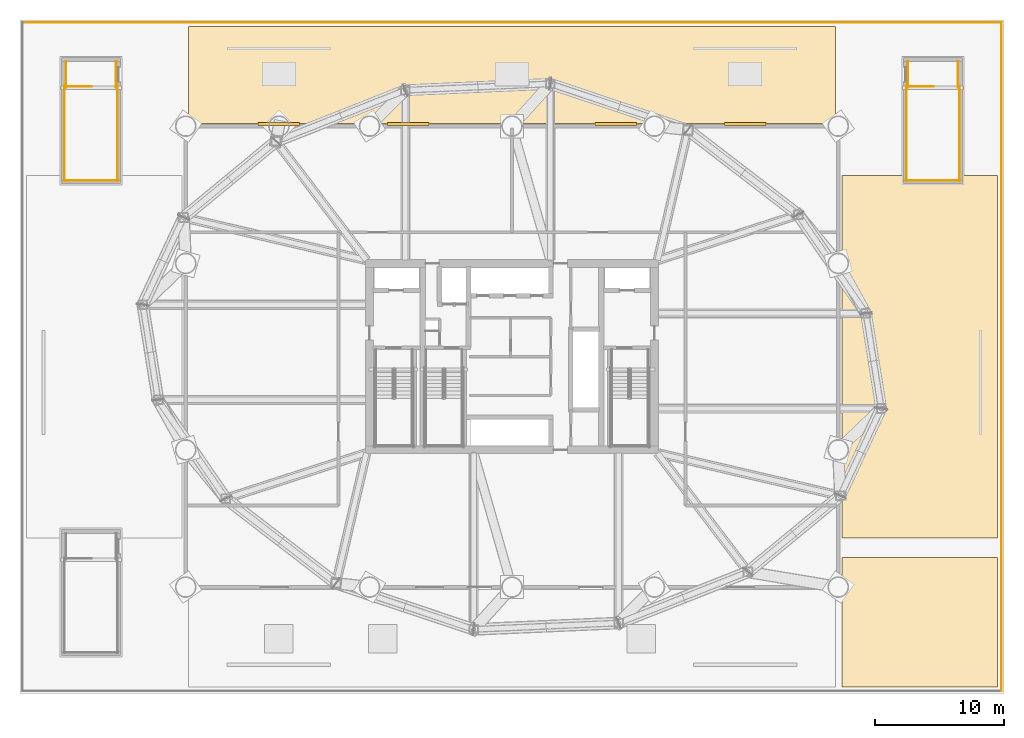
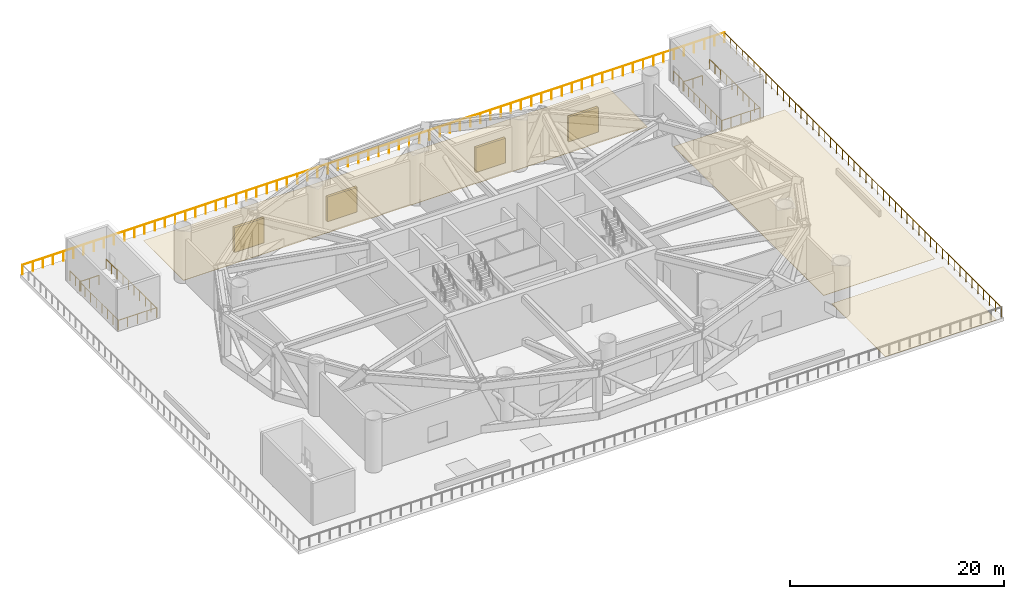
# One storey, part 14 of 14: 14 railings, 4 shading devices, 3 coverings.
"""IFC4 building model written with IfcOpenShell, lengths in metres."""

from ifc_helpers import new_model, si_unit, direction, frame, origin, origin_2d, place, context, subcontext, project, spatial, polyline, rectangle, circle, outline, extrude, material, layer, layer_set, type_object, element, save


model = new_model("IFC4")

# Units and contexts
model_context = context("Model", 3, precision=1e-05, world=origin(), true_north=direction((0.0, 1.0)))
body_context = subcontext(model_context, "Body", "Model", "MODEL_VIEW")
ifc_project = project(units=[si_unit("LENGTHUNIT", "METRE"), si_unit("AREAUNIT", "SQUARE_METRE"), si_unit("VOLUMEUNIT", "CUBIC_METRE"), si_unit("PLANEANGLEUNIT", "RADIAN"), si_unit("MASSUNIT", "GRAM", prefix="KILO")], contexts=[model_context])

# Site, building, storey
site_placement = place(None, origin())
site = spatial("IfcSite", under=ifc_project, at=site_placement, CompositionType="ELEMENT")
building_placement = place(site_placement, origin())
building = spatial("IfcBuilding", under=site, at=building_placement, Name="Bramvorn Convention Spire", CompositionType="ELEMENT")
storey_placement = place(building_placement, frame((0.0, 0.0, 35.39990234375)))
storey = spatial("IfcBuildingStorey", under=building, at=storey_placement, Name="L06", CompositionType="ELEMENT", Elevation=35.39990234375)

# Coverings
ifc_material_1 = material(Name="SBS Modified Bitumen Waterproofing Membrane", Category="membrane")
ifc_layer = layer(ifc_material_1, 0.0400390625)
ifc_layer_set = layer_set([ifc_layer], Name="SBS Modified Bitumen Waterproofing Membrane - COV-ROOF-MEMB-40")
covering_type = type_object("IfcCoveringType", Name="COV-ROOF-MEMB-40", PredefinedType="ROOFING", material=ifc_layer_set)
covering_1_placement = place(storey_placement, frame((0.0, 0.0, -0.419921875)))
element("IfcCovering", 1, at=covering_1_placement, inside=storey, type_object=covering_type, Name="L06 raised garden waterproofing membrane zone 2", PredefinedType="ROOFING", context=body_context, shape_type="SweptSolid", body=[
    extrude(outline(polyline([(13.0, 44.0), (63.0, 44.0), (63.0, 51.5), (13.0, 51.5), (13.0, 44.0)])), origin(), (0.0, 0.0, 1.0), 0.0400390625),
])
covering_2_placement = place(storey_placement, frame((0.0, 0.0, -0.419921875)))
element("IfcCovering", 2, at=covering_2_placement, inside=storey, type_object=covering_type, Name="L06 raised garden waterproofing membrane zone 4", PredefinedType="ROOFING", context=body_context, shape_type="SweptSolid", body=[
    extrude(outline(polyline([(63.5, 12.0), (75.5, 12.0), (75.5, 40.0), (63.5, 40.0), (63.5, 12.0)])), origin(), (0.0, 0.0, 1.0), 0.0400390625),
])
covering_3_placement = place(storey_placement, frame((0.0, 0.0, -0.419921875)))
element("IfcCovering", 3, at=covering_3_placement, inside=storey, type_object=covering_type, Name="L06 raised garden waterproofing membrane zone 5", PredefinedType="ROOFING", context=body_context, shape_type="SweptSolid", body=[
    extrude(outline(polyline([(63.5, 0.5), (75.5, 0.5), (75.5, 10.5), (63.5, 10.5), (63.5, 0.5)])), origin(), (0.0, 0.0, 1.0), 0.0400390625),
])

# Railings
ifc_material_2 = material(Name="Painted Steel Balustrade & Guardrail", Category="steel")
railing_type_1 = type_object("IfcRailingType", Name="RL-STAIR-GUARD-1100", PredefinedType="GUARDRAIL", material=ifc_material_2)
railing_1_placement = place(storey_placement, frame((68.52001953125, 46.85009765625, 0.0)))
element("IfcRailing", 4, at=railing_1_placement, inside=storey, type_object=railing_type_1, Name="L06 ST5 top well guard 1", PredefinedType="GUARDRAIL", context=body_context, shape_type="SweptSolid", body=[
    extrude(circle(Radius=0.02392578125, at=origin_2d()), frame((0.0, 0.0, 1.076171875), z_axis=(1.0, 0.0, 0.0), x_axis=(0.0, 1.0, 0.0)), (0.0, 0.0, 1.0), 2.030029296875),
    extrude(circle(Radius=0.02099609375, at=origin_2d()), origin(), (0.0, 0.0, 1.0), 1.052001953125),
    extrude(circle(Radius=0.02099609375, at=origin_2d()), frame((1.01513671875, 0.0, 0.0)), (0.0, 0.0, 1.0), 1.052001953125),
    extrude(circle(Radius=0.02099609375, at=origin_2d()), frame((2.030029296875, 0.0, 0.0)), (0.0, 0.0, 1.0), 1.052001953125),
])
for number, where, name in (
    (5, (68.469970703125, 46.89990234375, 0.0), "L06 ST5 top well guard 2"),
    (6, (72.550048828125, 46.89990234375, 0.0), "L06 ST5 top well guard 3"),
):
    element("IfcRailing", number, at=place(storey_placement, frame(where)), inside=storey, type_object=railing_type_1, Name=name, PredefinedType="GUARDRAIL", context=body_context, shape_type="SweptSolid", body=[
        extrude(circle(Radius=0.02392578125, at=origin_2d()), frame((0.0, 0.0, 1.076171875), z_axis=(0.0, -1.0, 0.0), x_axis=(1.0, 0.0, 0.0)), (0.0, 0.0, 1.0), 7.349853515625),
        extrude(circle(Radius=0.02099609375, at=origin_2d()), origin(), (0.0, 0.0, 1.0), 1.052001953125),
        extrude(circle(Radius=0.02099609375, at=origin_2d()), frame((0.0, -1.050048828125, 0.0)), (0.0, 0.0, 1.0), 1.052001953125),
        extrude(circle(Radius=0.02099609375, at=origin_2d()), frame((0.0, -2.099853515625, 0.0)), (0.0, 0.0, 1.0), 1.052001953125),
        extrude(circle(Radius=0.02099609375, at=origin_2d()), frame((0.0, -3.14990234375, 0.0)), (0.0, 0.0, 1.0), 1.052001953125),
        extrude(circle(Radius=0.02099609375, at=origin_2d()), frame((0.0, -4.199951171875, 0.0)), (0.0, 0.0, 1.0), 1.052001953125),
        extrude(circle(Radius=0.02099609375, at=origin_2d()), frame((0.0, -5.25, 0.0)), (0.0, 0.0, 1.0), 1.052001953125),
        extrude(circle(Radius=0.02099609375, at=origin_2d()), frame((0.0, -6.2998046875, 0.0)), (0.0, 0.0, 1.0), 1.052001953125),
        extrude(circle(Radius=0.02099609375, at=origin_2d()), frame((0.0, -7.349853515625, 0.0)), (0.0, 0.0, 1.0), 1.052001953125),
    ])
railing_2_placement = place(storey_placement, frame((68.419921875, 39.60009765625, 0.0)))
element("IfcRailing", 7, at=railing_2_placement, inside=storey, type_object=railing_type_1, Name="L06 ST5 top well guard 4", PredefinedType="GUARDRAIL", context=body_context, shape_type="SweptSolid", body=[
    extrude(circle(Radius=0.02392578125, at=origin_2d()), frame((0.0, 0.0, 1.076171875), z_axis=(1.0, 0.0, 0.0), x_axis=(0.0, 1.0, 0.0)), (0.0, 0.0, 1.0), 4.18017578125),
    extrude(circle(Radius=0.02099609375, at=origin_2d()), origin(), (0.0, 0.0, 1.0), 1.052001953125),
    extrude(circle(Radius=0.02099609375, at=origin_2d()), frame((1.044921875, 0.0, 0.0)), (0.0, 0.0, 1.0), 1.052001953125),
    extrude(circle(Radius=0.02099609375, at=origin_2d()), frame((2.090087890625, 0.0, 0.0)), (0.0, 0.0, 1.0), 1.052001953125),
    extrude(circle(Radius=0.02099609375, at=origin_2d()), frame((3.13525390625, 0.0, 0.0)), (0.0, 0.0, 1.0), 1.052001953125),
    extrude(circle(Radius=0.02099609375, at=origin_2d()), frame((4.18017578125, 0.0, 0.0)), (0.0, 0.0, 1.0), 1.052001953125),
])
for number, where, name in (
    (8, (68.570068359375, 48.800048828125, 0.0), "L06 ST5 top well guard 5"),
    (9, (72.449951171875, 48.800048828125, 0.0), "L06 ST5 top well guard 6"),
):
    element("IfcRailing", number, at=place(storey_placement, frame(where)), inside=storey, type_object=railing_type_1, Name=name, PredefinedType="GUARDRAIL", context=body_context, shape_type="SweptSolid", body=[
        extrude(circle(Radius=0.02392578125, at=origin_2d()), frame((0.0, 0.0, 1.076171875), z_axis=(0.0, -1.0, 0.0), x_axis=(1.0, 0.0, 0.0)), (0.0, 0.0, 1.0), 2.0),
        extrude(circle(Radius=0.02099609375, at=origin_2d()), origin(), (0.0, 0.0, 1.0), 1.052001953125),
        extrude(circle(Radius=0.02099609375, at=origin_2d()), frame((0.0, -1.0, 0.0)), (0.0, 0.0, 1.0), 1.052001953125),
        extrude(circle(Radius=0.02099609375, at=origin_2d()), frame((0.0, -2.0, 0.0)), (0.0, 0.0, 1.0), 1.052001953125),
    ])
railing_3_placement = place(storey_placement, frame((3.5, 46.85009765625, 0.0)))
element("IfcRailing", 10, at=railing_3_placement, inside=storey, type_object=railing_type_1, Name="L06 ST6 top well guard 1", PredefinedType="GUARDRAIL", context=body_context, shape_type="SweptSolid", body=[
    extrude(circle(Radius=0.02392578125, at=origin_2d()), frame((0.0, 0.0, 1.076171875), z_axis=(1.0, 0.0, 0.0), x_axis=(0.0, 1.0, 0.0)), (0.0, 0.0, 1.0), 2.030029296875),
    extrude(circle(Radius=0.02099609375, at=origin_2d()), origin(), (0.0, 0.0, 1.0), 1.052001953125),
    extrude(circle(Radius=0.02099609375, at=origin_2d()), frame((1.01513671875, 0.0, 0.0)), (0.0, 0.0, 1.0), 1.052001953125),
    extrude(circle(Radius=0.02099609375, at=origin_2d()), frame((2.030029296875, 0.0, 0.0)), (0.0, 0.0, 1.0), 1.052001953125),
])
for number, where, name in (
    (11, (3.449951171875, 46.89990234375, 0.0), "L06 ST6 top well guard 2"),
    (12, (7.530029296875, 46.89990234375, 0.0), "L06 ST6 top well guard 3"),
):
    element("IfcRailing", number, at=place(storey_placement, frame(where)), inside=storey, type_object=railing_type_1, Name=name, PredefinedType="GUARDRAIL", context=body_context, shape_type="SweptSolid", body=[
        extrude(circle(Radius=0.02392578125, at=origin_2d()), frame((0.0, 0.0, 1.076171875), z_axis=(0.0, -1.0, 0.0), x_axis=(1.0, 0.0, 0.0)), (0.0, 0.0, 1.0), 7.349853515625),
        extrude(circle(Radius=0.02099609375, at=origin_2d()), origin(), (0.0, 0.0, 1.0), 1.052001953125),
        extrude(circle(Radius=0.02099609375, at=origin_2d()), frame((0.0, -1.050048828125, 0.0)), (0.0, 0.0, 1.0), 1.052001953125),
        extrude(circle(Radius=0.02099609375, at=origin_2d()), frame((0.0, -2.099853515625, 0.0)), (0.0, 0.0, 1.0), 1.052001953125),
        extrude(circle(Radius=0.02099609375, at=origin_2d()), frame((0.0, -3.14990234375, 0.0)), (0.0, 0.0, 1.0), 1.052001953125),
        extrude(circle(Radius=0.02099609375, at=origin_2d()), frame((0.0, -4.199951171875, 0.0)), (0.0, 0.0, 1.0), 1.052001953125),
        extrude(circle(Radius=0.02099609375, at=origin_2d()), frame((0.0, -5.25, 0.0)), (0.0, 0.0, 1.0), 1.052001953125),
        extrude(circle(Radius=0.02099609375, at=origin_2d()), frame((0.0, -6.2998046875, 0.0)), (0.0, 0.0, 1.0), 1.052001953125),
        extrude(circle(Radius=0.02099609375, at=origin_2d()), frame((0.0, -7.349853515625, 0.0)), (0.0, 0.0, 1.0), 1.052001953125),
    ])
railing_4_placement = place(storey_placement, frame((3.39990234375, 39.60009765625, 0.0)))
element("IfcRailing", 13, at=railing_4_placement, inside=storey, type_object=railing_type_1, Name="L06 ST6 top well guard 4", PredefinedType="GUARDRAIL", context=body_context, shape_type="SweptSolid", body=[
    extrude(circle(Radius=0.02392578125, at=origin_2d()), frame((0.0, 0.0, 1.076171875), z_axis=(1.0, 0.0, 0.0), x_axis=(0.0, 1.0, 0.0)), (0.0, 0.0, 1.0), 4.18017578125),
    extrude(circle(Radius=0.02099609375, at=origin_2d()), origin(), (0.0, 0.0, 1.0), 1.052001953125),
    extrude(circle(Radius=0.02099609375, at=origin_2d()), frame((1.044921875, 0.0, 0.0)), (0.0, 0.0, 1.0), 1.052001953125),
    extrude(circle(Radius=0.02099609375, at=origin_2d()), frame((2.090087890625, 0.0, 0.0)), (0.0, 0.0, 1.0), 1.052001953125),
    extrude(circle(Radius=0.02099609375, at=origin_2d()), frame((3.13525390625, 0.0, 0.0)), (0.0, 0.0, 1.0), 1.052001953125),
    extrude(circle(Radius=0.02099609375, at=origin_2d()), frame((4.18017578125, 0.0, 0.0)), (0.0, 0.0, 1.0), 1.052001953125),
])
for number, where, name in (
    (14, (3.550048828125, 48.800048828125, 0.0), "L06 ST6 top well guard 5"),
    (15, (7.429931640625, 48.800048828125, 0.0), "L06 ST6 top well guard 6"),
):
    element("IfcRailing", number, at=place(storey_placement, frame(where)), inside=storey, type_object=railing_type_1, Name=name, PredefinedType="GUARDRAIL", context=body_context, shape_type="SweptSolid", body=[
        extrude(circle(Radius=0.02392578125, at=origin_2d()), frame((0.0, 0.0, 1.076171875), z_axis=(0.0, -1.0, 0.0), x_axis=(1.0, 0.0, 0.0)), (0.0, 0.0, 1.0), 2.0),
        extrude(circle(Radius=0.02099609375, at=origin_2d()), origin(), (0.0, 0.0, 1.0), 1.052001953125),
        extrude(circle(Radius=0.02099609375, at=origin_2d()), frame((0.0, -1.0, 0.0)), (0.0, 0.0, 1.0), 1.052001953125),
        extrude(circle(Radius=0.02099609375, at=origin_2d()), frame((0.0, -2.0, 0.0)), (0.0, 0.0, 1.0), 1.052001953125),
    ])
ifc_material_3 = material(Name="Bronze Cap-Rail & Laminated Structural Glass Balustrade", Category="glass")
railing_type_2 = type_object("IfcRailingType", Name="RL-TERR-GUARD-1150", PredefinedType="GUARDRAIL", material=ifc_material_3)
railing_5_placement = place(storey_placement, frame((75.820068359375, 0.179931640625, 0.0)))
element("IfcRailing", 16, at=railing_5_placement, inside=storey, type_object=railing_type_2, Name="L06 Raised Public Garden perimeter safety guardrail side 2", PredefinedType="GUARDRAIL", context=body_context, shape_type="SweptSolid", body=[
    extrude(circle(Radius=0.02392578125, at=origin_2d()), frame((0.0, 0.0, 1.1259765625), z_axis=(0.0, 1.0, 0.0), x_axis=(-1.0, 0.0, 0.0)), (0.0, 0.0, 1.0), 51.64013671875),
    extrude(circle(Radius=0.02099609375, at=origin_2d()), origin(), (0.0, 0.0, 1.0), 1.101806640625),
    extrude(circle(Radius=0.02099609375, at=origin_2d()), frame((0.0, 1.0986328125, 0.0)), (0.0, 0.0, 1.0), 1.101806640625),
    extrude(circle(Radius=0.02099609375, at=origin_2d()), frame((0.0, 2.197509765625, 0.0)), (0.0, 0.0, 1.0), 1.101806640625),
    extrude(circle(Radius=0.02099609375, at=origin_2d()), frame((0.0, 3.296142578125, 0.0)), (0.0, 0.0, 1.0), 1.101806640625),
    extrude(circle(Radius=0.02099609375, at=origin_2d()), frame((0.0, 4.39501953125, 0.0)), (0.0, 0.0, 1.0), 1.101806640625),
    extrude(circle(Radius=0.02099609375, at=origin_2d()), frame((0.0, 5.49365234375, 0.0)), (0.0, 0.0, 1.0), 1.101806640625),
    extrude(circle(Radius=0.02099609375, at=origin_2d()), frame((0.0, 6.59228515625, 0.0)), (0.0, 0.0, 1.0), 1.101806640625),
    extrude(circle(Radius=0.02099609375, at=origin_2d()), frame((0.0, 7.691162109375, 0.0)), (0.0, 0.0, 1.0), 1.101806640625),
    extrude(circle(Radius=0.02099609375, at=origin_2d()), frame((0.0, 8.789794921875, 0.0)), (0.0, 0.0, 1.0), 1.101806640625),
    extrude(circle(Radius=0.02099609375, at=origin_2d()), frame((0.0, 9.888427734375, 0.0)), (0.0, 0.0, 1.0), 1.101806640625),
    extrude(circle(Radius=0.02099609375, at=origin_2d()), frame((0.0, 10.9873046875, 0.0)), (0.0, 0.0, 1.0), 1.101806640625),
    extrude(circle(Radius=0.02099609375, at=origin_2d()), frame((0.0, 12.0859375, 0.0)), (0.0, 0.0, 1.0), 1.101806640625),
    extrude(circle(Radius=0.02099609375, at=origin_2d()), frame((0.0, 13.184814453125, 0.0)), (0.0, 0.0, 1.0), 1.101806640625),
    extrude(circle(Radius=0.02099609375, at=origin_2d()), frame((0.0, 14.283447265625, 0.0)), (0.0, 0.0, 1.0), 1.101806640625),
    extrude(circle(Radius=0.02099609375, at=origin_2d()), frame((0.0, 15.382080078125, 0.0)), (0.0, 0.0, 1.0), 1.101806640625),
    extrude(circle(Radius=0.02099609375, at=origin_2d()), frame((0.0, 16.48095703125, 0.0)), (0.0, 0.0, 1.0), 1.101806640625),
    extrude(circle(Radius=0.02099609375, at=origin_2d()), frame((0.0, 17.57958984375, 0.0)), (0.0, 0.0, 1.0), 1.101806640625),
    extrude(circle(Radius=0.02099609375, at=origin_2d()), frame((0.0, 18.678466796875, 0.0)), (0.0, 0.0, 1.0), 1.101806640625),
    extrude(circle(Radius=0.02099609375, at=origin_2d()), frame((0.0, 19.777099609375, 0.0)), (0.0, 0.0, 1.0), 1.101806640625),
    extrude(circle(Radius=0.02099609375, at=origin_2d()), frame((0.0, 20.875732421875, 0.0)), (0.0, 0.0, 1.0), 1.101806640625),
    extrude(circle(Radius=0.02099609375, at=origin_2d()), frame((0.0, 21.974609375, 0.0)), (0.0, 0.0, 1.0), 1.101806640625),
    extrude(circle(Radius=0.02099609375, at=origin_2d()), frame((0.0, 23.0732421875, 0.0)), (0.0, 0.0, 1.0), 1.101806640625),
    extrude(circle(Radius=0.02099609375, at=origin_2d()), frame((0.0, 24.171875, 0.0)), (0.0, 0.0, 1.0), 1.101806640625),
    extrude(circle(Radius=0.02099609375, at=origin_2d()), frame((0.0, 25.270751953125, 0.0)), (0.0, 0.0, 1.0), 1.101806640625),
    extrude(circle(Radius=0.02099609375, at=origin_2d()), frame((0.0, 26.369384765625, 0.0)), (0.0, 0.0, 1.0), 1.101806640625),
    extrude(circle(Radius=0.02099609375, at=origin_2d()), frame((0.0, 27.46826171875, 0.0)), (0.0, 0.0, 1.0), 1.101806640625),
    extrude(circle(Radius=0.02099609375, at=origin_2d()), frame((0.0, 28.56689453125, 0.0)), (0.0, 0.0, 1.0), 1.101806640625),
    extrude(circle(Radius=0.02099609375, at=origin_2d()), frame((0.0, 29.66552734375, 0.0)), (0.0, 0.0, 1.0), 1.101806640625),
    extrude(circle(Radius=0.02099609375, at=origin_2d()), frame((0.0, 30.764404296875, 0.0)), (0.0, 0.0, 1.0), 1.101806640625),
    extrude(circle(Radius=0.02099609375, at=origin_2d()), frame((0.0, 31.863037109375, 0.0)), (0.0, 0.0, 1.0), 1.101806640625),
    extrude(circle(Radius=0.02099609375, at=origin_2d()), frame((0.0, 32.961669921875, 0.0)), (0.0, 0.0, 1.0), 1.101806640625),
    extrude(circle(Radius=0.02099609375, at=origin_2d()), frame((0.0, 34.060546875, 0.0)), (0.0, 0.0, 1.0), 1.101806640625),
    extrude(circle(Radius=0.02099609375, at=origin_2d()), frame((0.0, 35.1591796875, 0.0)), (0.0, 0.0, 1.0), 1.101806640625),
    extrude(circle(Radius=0.02099609375, at=origin_2d()), frame((0.0, 36.258056640625, 0.0)), (0.0, 0.0, 1.0), 1.101806640625),
    extrude(circle(Radius=0.02099609375, at=origin_2d()), frame((0.0, 37.356689453125, 0.0)), (0.0, 0.0, 1.0), 1.101806640625),
    extrude(circle(Radius=0.02099609375, at=origin_2d()), frame((0.0, 38.455322265625, 0.0)), (0.0, 0.0, 1.0), 1.101806640625),
    extrude(circle(Radius=0.02099609375, at=origin_2d()), frame((0.0, 39.55419921875, 0.0)), (0.0, 0.0, 1.0), 1.101806640625),
    extrude(circle(Radius=0.02099609375, at=origin_2d()), frame((0.0, 40.65283203125, 0.0)), (0.0, 0.0, 1.0), 1.101806640625),
    extrude(circle(Radius=0.02099609375, at=origin_2d()), frame((0.0, 41.751708984375, 0.0)), (0.0, 0.0, 1.0), 1.101806640625),
    extrude(circle(Radius=0.02099609375, at=origin_2d()), frame((0.0, 42.850341796875, 0.0)), (0.0, 0.0, 1.0), 1.101806640625),
    extrude(circle(Radius=0.02099609375, at=origin_2d()), frame((0.0, 43.948974609375, 0.0)), (0.0, 0.0, 1.0), 1.101806640625),
    extrude(circle(Radius=0.02099609375, at=origin_2d()), frame((0.0, 45.0478515625, 0.0)), (0.0, 0.0, 1.0), 1.101806640625),
    extrude(circle(Radius=0.02099609375, at=origin_2d()), frame((0.0, 46.146484375, 0.0)), (0.0, 0.0, 1.0), 1.101806640625),
    extrude(circle(Radius=0.02099609375, at=origin_2d()), frame((0.0, 47.2451171875, 0.0)), (0.0, 0.0, 1.0), 1.101806640625),
    extrude(circle(Radius=0.02099609375, at=origin_2d()), frame((0.0, 48.343994140625, 0.0)), (0.0, 0.0, 1.0), 1.101806640625),
    extrude(circle(Radius=0.02099609375, at=origin_2d()), frame((0.0, 49.442626953125, 0.0)), (0.0, 0.0, 1.0), 1.101806640625),
    extrude(circle(Radius=0.02099609375, at=origin_2d()), frame((0.0, 50.54150390625, 0.0)), (0.0, 0.0, 1.0), 1.101806640625),
    extrude(circle(Radius=0.02099609375, at=origin_2d()), frame((0.0, 51.64013671875, 0.0)), (0.0, 0.0, 1.0), 1.101806640625),
])
railing_6_placement = place(storey_placement, frame((75.820068359375, 51.820068359375, 0.0)))
element("IfcRailing", 17, at=railing_6_placement, inside=storey, type_object=railing_type_2, Name="L06 Raised Public Garden perimeter safety guardrail side 3", PredefinedType="GUARDRAIL", context=body_context, shape_type="SweptSolid", body=[
    extrude(circle(Radius=0.02392578125, at=origin_2d()), frame((0.0, 0.0, 1.1259765625), z_axis=(-1.0, 0.0, 0.0), x_axis=(0.0, -1.0, 0.0)), (0.0, 0.0, 1.0), 75.64013671875),
    extrude(circle(Radius=0.02099609375, at=origin_2d()), origin(), (0.0, 0.0, 1.0), 1.101806640625),
    extrude(circle(Radius=0.02099609375, at=origin_2d()), frame((-1.09619140625, 0.0, 0.0)), (0.0, 0.0, 1.0), 1.101806640625),
    extrude(circle(Radius=0.02099609375, at=origin_2d()), frame((-2.1923828125, 0.0, 0.0)), (0.0, 0.0, 1.0), 1.101806640625),
    extrude(circle(Radius=0.02099609375, at=origin_2d()), frame((-3.288818359375, 0.0, 0.0)), (0.0, 0.0, 1.0), 1.101806640625),
    extrude(circle(Radius=0.02099609375, at=origin_2d()), frame((-4.385009765625, 0.0, 0.0)), (0.0, 0.0, 1.0), 1.101806640625),
    extrude(circle(Radius=0.02099609375, at=origin_2d()), frame((-5.481201171875, 0.0, 0.0)), (0.0, 0.0, 1.0), 1.101806640625),
    extrude(circle(Radius=0.02099609375, at=origin_2d()), frame((-6.577392578125, 0.0, 0.0)), (0.0, 0.0, 1.0), 1.101806640625),
    extrude(circle(Radius=0.02099609375, at=origin_2d()), frame((-7.673583984375, 0.0, 0.0)), (0.0, 0.0, 1.0), 1.101806640625),
    extrude(circle(Radius=0.02099609375, at=origin_2d()), frame((-8.769775390625, 0.0, 0.0)), (0.0, 0.0, 1.0), 1.101806640625),
    extrude(circle(Radius=0.02099609375, at=origin_2d()), frame((-9.8662109375, 0.0, 0.0)), (0.0, 0.0, 1.0), 1.101806640625),
    extrude(circle(Radius=0.02099609375, at=origin_2d()), frame((-10.96240234375, 0.0, 0.0)), (0.0, 0.0, 1.0), 1.101806640625),
    extrude(circle(Radius=0.02099609375, at=origin_2d()), frame((-12.05859375, 0.0, 0.0)), (0.0, 0.0, 1.0), 1.101806640625),
    extrude(circle(Radius=0.02099609375, at=origin_2d()), frame((-13.15478515625, 0.0, 0.0)), (0.0, 0.0, 1.0), 1.101806640625),
    extrude(circle(Radius=0.02099609375, at=origin_2d()), frame((-14.2509765625, 0.0, 0.0)), (0.0, 0.0, 1.0), 1.101806640625),
    extrude(circle(Radius=0.02099609375, at=origin_2d()), frame((-15.34716796875, 0.0, 0.0)), (0.0, 0.0, 1.0), 1.101806640625),
    extrude(circle(Radius=0.02099609375, at=origin_2d()), frame((-16.443603515625, 0.0, 0.0)), (0.0, 0.0, 1.0), 1.101806640625),
    extrude(circle(Radius=0.02099609375, at=origin_2d()), frame((-17.539794921875, 0.0, 0.0)), (0.0, 0.0, 1.0), 1.101806640625),
    extrude(circle(Radius=0.02099609375, at=origin_2d()), frame((-18.635986328125, 0.0, 0.0)), (0.0, 0.0, 1.0), 1.101806640625),
    extrude(circle(Radius=0.02099609375, at=origin_2d()), frame((-19.732177734375, 0.0, 0.0)), (0.0, 0.0, 1.0), 1.101806640625),
    extrude(circle(Radius=0.02099609375, at=origin_2d()), frame((-20.828369140625, 0.0, 0.0)), (0.0, 0.0, 1.0), 1.101806640625),
    extrude(circle(Radius=0.02099609375, at=origin_2d()), frame((-21.924560546875, 0.0, 0.0)), (0.0, 0.0, 1.0), 1.101806640625),
    extrude(circle(Radius=0.02099609375, at=origin_2d()), frame((-23.02099609375, 0.0, 0.0)), (0.0, 0.0, 1.0), 1.101806640625),
    extrude(circle(Radius=0.02099609375, at=origin_2d()), frame((-24.1171875, 0.0, 0.0)), (0.0, 0.0, 1.0), 1.101806640625),
    extrude(circle(Radius=0.02099609375, at=origin_2d()), frame((-25.21337890625, 0.0, 0.0)), (0.0, 0.0, 1.0), 1.101806640625),
    extrude(circle(Radius=0.02099609375, at=origin_2d()), frame((-26.3095703125, 0.0, 0.0)), (0.0, 0.0, 1.0), 1.101806640625),
    extrude(circle(Radius=0.02099609375, at=origin_2d()), frame((-27.40576171875, 0.0, 0.0)), (0.0, 0.0, 1.0), 1.101806640625),
    extrude(circle(Radius=0.02099609375, at=origin_2d()), frame((-28.502197265625, 0.0, 0.0)), (0.0, 0.0, 1.0), 1.101806640625),
    extrude(circle(Radius=0.02099609375, at=origin_2d()), frame((-29.598388671875, 0.0, 0.0)), (0.0, 0.0, 1.0), 1.101806640625),
    extrude(circle(Radius=0.02099609375, at=origin_2d()), frame((-30.694580078125, 0.0, 0.0)), (0.0, 0.0, 1.0), 1.101806640625),
    extrude(circle(Radius=0.02099609375, at=origin_2d()), frame((-31.790771484375, 0.0, 0.0)), (0.0, 0.0, 1.0), 1.101806640625),
    extrude(circle(Radius=0.02099609375, at=origin_2d()), frame((-32.886962890625, 0.0, 0.0)), (0.0, 0.0, 1.0), 1.101806640625),
    extrude(circle(Radius=0.02099609375, at=origin_2d()), frame((-33.983154296875, 0.0, 0.0)), (0.0, 0.0, 1.0), 1.101806640625),
    extrude(circle(Radius=0.02099609375, at=origin_2d()), frame((-35.07958984375, 0.0, 0.0)), (0.0, 0.0, 1.0), 1.101806640625),
    extrude(circle(Radius=0.02099609375, at=origin_2d()), frame((-36.17578125, 0.0, 0.0)), (0.0, 0.0, 1.0), 1.101806640625),
    extrude(circle(Radius=0.02099609375, at=origin_2d()), frame((-37.27197265625, 0.0, 0.0)), (0.0, 0.0, 1.0), 1.101806640625),
    extrude(circle(Radius=0.02099609375, at=origin_2d()), frame((-38.3681640625, 0.0, 0.0)), (0.0, 0.0, 1.0), 1.101806640625),
    extrude(circle(Radius=0.02099609375, at=origin_2d()), frame((-39.46435546875, 0.0, 0.0)), (0.0, 0.0, 1.0), 1.101806640625),
    extrude(circle(Radius=0.02099609375, at=origin_2d()), frame((-40.560546875, 0.0, 0.0)), (0.0, 0.0, 1.0), 1.101806640625),
    extrude(circle(Radius=0.02099609375, at=origin_2d()), frame((-41.656982421875, 0.0, 0.0)), (0.0, 0.0, 1.0), 1.101806640625),
    extrude(circle(Radius=0.02099609375, at=origin_2d()), frame((-42.753173828125, 0.0, 0.0)), (0.0, 0.0, 1.0), 1.101806640625),
    extrude(circle(Radius=0.02099609375, at=origin_2d()), frame((-43.849365234375, 0.0, 0.0)), (0.0, 0.0, 1.0), 1.101806640625),
    extrude(circle(Radius=0.02099609375, at=origin_2d()), frame((-44.945556640625, 0.0, 0.0)), (0.0, 0.0, 1.0), 1.101806640625),
    extrude(circle(Radius=0.02099609375, at=origin_2d()), frame((-46.041748046875, 0.0, 0.0)), (0.0, 0.0, 1.0), 1.101806640625),
    extrude(circle(Radius=0.02099609375, at=origin_2d()), frame((-47.137939453125, 0.0, 0.0)), (0.0, 0.0, 1.0), 1.101806640625),
    extrude(circle(Radius=0.02099609375, at=origin_2d()), frame((-48.234375, 0.0, 0.0)), (0.0, 0.0, 1.0), 1.101806640625),
    extrude(circle(Radius=0.02099609375, at=origin_2d()), frame((-49.33056640625, 0.0, 0.0)), (0.0, 0.0, 1.0), 1.101806640625),
    extrude(circle(Radius=0.02099609375, at=origin_2d()), frame((-50.4267578125, 0.0, 0.0)), (0.0, 0.0, 1.0), 1.101806640625),
    extrude(circle(Radius=0.02099609375, at=origin_2d()), frame((-51.52294921875, 0.0, 0.0)), (0.0, 0.0, 1.0), 1.101806640625),
    extrude(circle(Radius=0.02099609375, at=origin_2d()), frame((-52.619140625, 0.0, 0.0)), (0.0, 0.0, 1.0), 1.101806640625),
    extrude(circle(Radius=0.02099609375, at=origin_2d()), frame((-53.715576171875, 0.0, 0.0)), (0.0, 0.0, 1.0), 1.101806640625),
    extrude(circle(Radius=0.02099609375, at=origin_2d()), frame((-54.811767578125, 0.0, 0.0)), (0.0, 0.0, 1.0), 1.101806640625),
    extrude(circle(Radius=0.02099609375, at=origin_2d()), frame((-55.907958984375, 0.0, 0.0)), (0.0, 0.0, 1.0), 1.101806640625),
    extrude(circle(Radius=0.02099609375, at=origin_2d()), frame((-57.004150390625, 0.0, 0.0)), (0.0, 0.0, 1.0), 1.101806640625),
    extrude(circle(Radius=0.02099609375, at=origin_2d()), frame((-58.100341796875, 0.0, 0.0)), (0.0, 0.0, 1.0), 1.101806640625),
    extrude(circle(Radius=0.02099609375, at=origin_2d()), frame((-59.196533203125, 0.0, 0.0)), (0.0, 0.0, 1.0), 1.101806640625),
    extrude(circle(Radius=0.02099609375, at=origin_2d()), frame((-60.29296875, 0.0, 0.0)), (0.0, 0.0, 1.0), 1.101806640625),
    extrude(circle(Radius=0.02099609375, at=origin_2d()), frame((-61.38916015625, 0.0, 0.0)), (0.0, 0.0, 1.0), 1.101806640625),
    extrude(circle(Radius=0.02099609375, at=origin_2d()), frame((-62.4853515625, 0.0, 0.0)), (0.0, 0.0, 1.0), 1.101806640625),
    extrude(circle(Radius=0.02099609375, at=origin_2d()), frame((-63.58154296875, 0.0, 0.0)), (0.0, 0.0, 1.0), 1.101806640625),
    extrude(circle(Radius=0.02099609375, at=origin_2d()), frame((-64.677734375, 0.0, 0.0)), (0.0, 0.0, 1.0), 1.101806640625),
    extrude(circle(Radius=0.02099609375, at=origin_2d()), frame((-65.77392578125, 0.0, 0.0)), (0.0, 0.0, 1.0), 1.101806640625),
    extrude(circle(Radius=0.02099609375, at=origin_2d()), frame((-66.870361328125, 0.0, 0.0)), (0.0, 0.0, 1.0), 1.101806640625),
    extrude(circle(Radius=0.02099609375, at=origin_2d()), frame((-67.966552734375, 0.0, 0.0)), (0.0, 0.0, 1.0), 1.101806640625),
    extrude(circle(Radius=0.02099609375, at=origin_2d()), frame((-69.062744140625, 0.0, 0.0)), (0.0, 0.0, 1.0), 1.101806640625),
    extrude(circle(Radius=0.02099609375, at=origin_2d()), frame((-70.158935546875, 0.0, 0.0)), (0.0, 0.0, 1.0), 1.101806640625),
    extrude(circle(Radius=0.02099609375, at=origin_2d()), frame((-71.255126953125, 0.0, 0.0)), (0.0, 0.0, 1.0), 1.101806640625),
    extrude(circle(Radius=0.02099609375, at=origin_2d()), frame((-72.351318359375, 0.0, 0.0)), (0.0, 0.0, 1.0), 1.101806640625),
    extrude(circle(Radius=0.02099609375, at=origin_2d()), frame((-73.44775390625, 0.0, 0.0)), (0.0, 0.0, 1.0), 1.101806640625),
    extrude(circle(Radius=0.02099609375, at=origin_2d()), frame((-74.5439453125, 0.0, 0.0)), (0.0, 0.0, 1.0), 1.101806640625),
    extrude(circle(Radius=0.02099609375, at=origin_2d()), frame((-75.64013671875, 0.0, 0.0)), (0.0, 0.0, 1.0), 1.101806640625),
])

# Shading devices
ifc_material_4 = material(Name="Acoustic Storm-Proof Anodised Bronze Aluminium Louvre", Category="aluminium")
shading_device_type = type_object("IfcShadingDeviceType", Name="SHD-LOUVRE-PLANT", PredefinedType="JALOUSIE", material=ifc_material_4)
for number, where, z_axis, x_axis, name in (
    (18, (20.0, 43.9599609375, 1.0), (0.0, 0.0, 1.0), (1.0, 0.0, 0.0), "L06 transfer plant acoustic louvre 1"),
    (19, (30.0, 43.9599609375, 1.0), (0.0, 0.0, 1.0), (1.0, 0.0, 0.0), "L06 transfer plant acoustic louvre 2"),
    (20, (46.0, 43.9599609375, 1.0), (0.0, 0.0, 1.0), (1.0, 0.0, 0.0), "L06 transfer plant acoustic louvre 3"),
    (21, (56.0, 43.9599609375, 1.0), (0.0, 0.0, 1.0), (1.0, 0.0, 0.0), "L06 transfer plant acoustic louvre 4"),
):
    element("IfcShadingDevice", number, at=place(storey_placement, frame(where, z_axis=z_axis, x_axis=x_axis)), inside=storey, type_object=shading_device_type, Name=name, PredefinedType="JALOUSIE", context=body_context, shape_type="SweptSolid", body=[
        extrude(rectangle(XDim=3.199951171875, YDim=0.25, at=origin_2d()), origin(), (0.0, 0.0, 1.0), 2.800048828125),
    ])

save(model, "model.ifc")
